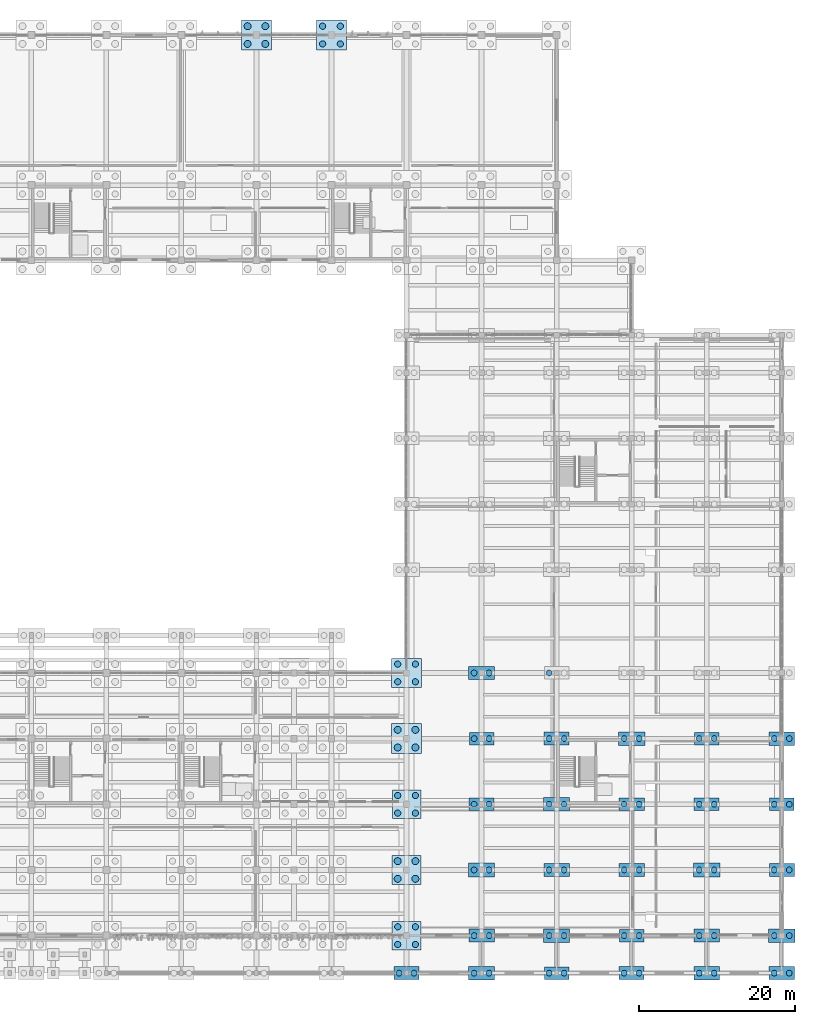
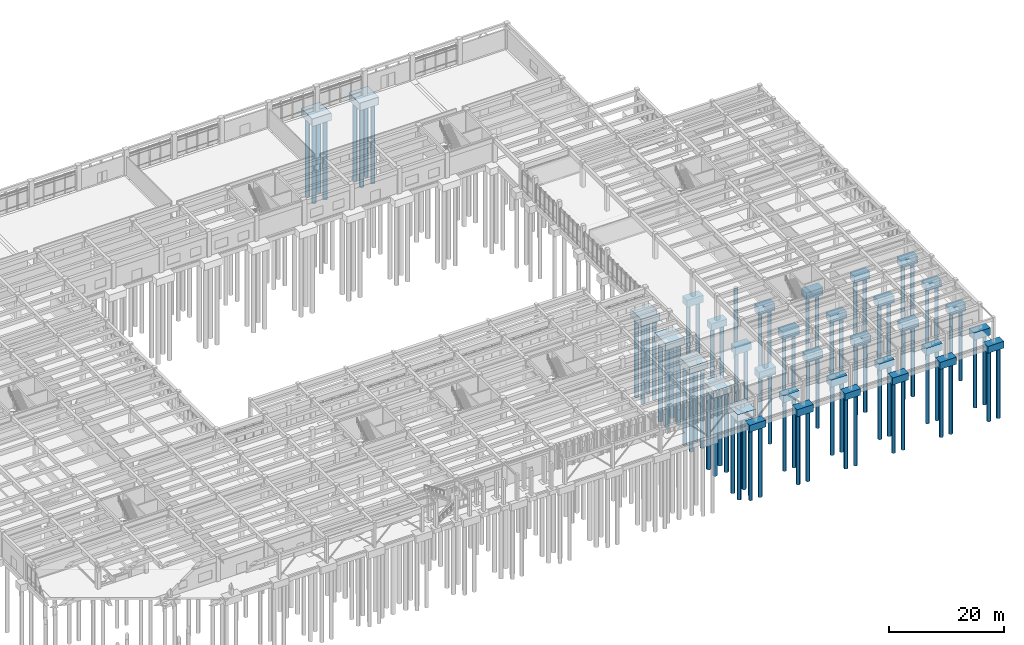
# One storey, part 6 of 102: 83 piles, 34 footings.
"""IFC4 building model written with IfcOpenShell, lengths in metres."""

from ifc_helpers import new_model, si_unit, direction, frame, origin, origin_2d, place, context, subcontext, project, spatial, rectangle, circle, extrude, material, material_profile, profile_set, type_object, element, save


model = new_model("IFC4")

# Units and contexts
model_context = context("Model", 3, precision=1e-05, world=origin(), true_north=direction((0.0, 1.0)))
body_context = subcontext(model_context, "Body", "Model", "MODEL_VIEW")
ifc_project = project(units=[si_unit("LENGTHUNIT", "METRE"), si_unit("AREAUNIT", "SQUARE_METRE"), si_unit("VOLUMEUNIT", "CUBIC_METRE"), si_unit("PLANEANGLEUNIT", "RADIAN"), si_unit("MASSUNIT", "GRAM", prefix="KILO")], contexts=[model_context])

# Site, building, storey
site_placement = place(None, origin())
site = spatial("IfcSite", under=ifc_project, at=site_placement, CompositionType="ELEMENT")
building_placement = place(site_placement, origin())
building = spatial("IfcBuilding", under=site, at=building_placement, Name="Kolvemor Railside Polytechnic", CompositionType="ELEMENT")
storey_placement = place(building_placement, origin())
storey = spatial("IfcBuildingStorey", under=building, at=storey_placement, Name="L00", CompositionType="ELEMENT", Elevation=0.0)

# Footings
ifc_material_1 = material(Name="Concrete C40/50", Category="concrete")
footing_type_1 = type_object("IfcFootingType", Name="FTG-PC-2P-A", PredefinedType="PILE_CAP", material=ifc_material_1)
for number, where, z_axis, x_axis, name in (
    (1, (144.0, 21.60009765625, -1.5), (0.0, 0.0, 1.0), (1.0, 0.0, 0.0), "Pile Cap PC-198"),
    (2, (153.60009765625, 30.0, -1.5), (0.0, 0.0, 1.0), (1.0, 0.0, 0.0), "Pile Cap PC-213"),
    (3, (163.199951171875, 0.0, -1.5), (0.0, 0.0, 1.0), (1.0, 0.0, 0.0), "Pile Cap PC-223"),
    (4, (172.800048828125, 21.60009765625, -1.5), (0.0, 0.0, 1.0), (1.0, 0.0, 0.0), "Pile Cap PC-238"),
    (5, (182.39990234375, 13.199951171875, -1.5), (0.0, 0.0, 1.0), (1.0, 0.0, 0.0), "Pile Cap PC-248"),
):
    element("IfcFooting", number, at=place(storey_placement, frame(where, z_axis=z_axis, x_axis=x_axis)), inside=storey, type_object=footing_type_1, Name=name, PredefinedType="PILE_CAP", context=body_context, shape_type="SweptSolid", body=[
        extrude(rectangle(XDim=3.199951171875, YDim=1.64990234375, at=origin_2d()), origin(), (0.0, 0.0, 1.0), 1.5),
    ])
ifc_material_2 = material(Name="Concrete C40/50", Category="concrete")
footing_type_2 = type_object("IfcFootingType", Name="FTG-PC-2P-B", PredefinedType="PILE_CAP", material=ifc_material_2)
for number, where, z_axis, x_axis, name in (
    (6, (144.0, 30.0, -1.39990234375), (0.0, 0.0, 1.0), (1.0, 0.0, 0.0), "Pile Cap PC-199"),
    (7, (153.60009765625, 0.0, -1.39990234375), (0.0, 0.0, 1.0), (1.0, 0.0, 0.0), "Pile Cap PC-209"),
    (8, (163.199951171875, 4.800048828125, -1.39990234375), (0.0, 0.0, 1.0), (1.0, 0.0, 0.0), "Pile Cap PC-224"),
    (9, (172.800048828125, 30.0, -1.39990234375), (0.0, 0.0, 1.0), (1.0, 0.0, 0.0), "Pile Cap PC-239"),
    (10, (182.39990234375, 21.60009765625, -1.39990234375), (0.0, 0.0, 1.0), (1.0, 0.0, 0.0), "Pile Cap PC-249"),
):
    element("IfcFooting", number, at=place(storey_placement, frame(where, z_axis=z_axis, x_axis=x_axis)), inside=storey, type_object=footing_type_2, Name=name, PredefinedType="PILE_CAP", context=body_context, shape_type="SweptSolid", body=[
        extrude(rectangle(XDim=3.14990234375, YDim=1.60009765625, at=origin_2d()), origin(), (0.0, 0.0, 1.0), 1.39990234375),
    ])
ifc_material_3 = material(Name="Concrete C40/50", Category="concrete")
footing_type_3 = type_object("IfcFootingType", Name="FTG-PC-2P-C", PredefinedType="PILE_CAP", material=ifc_material_3)
for number, where, z_axis, x_axis, name in (
    (11, (144.0, 0.0, -1.5), (0.0, 0.0, 1.0), (1.0, 0.0, 0.0), "Pile Cap PC-195"),
    (12, (144.0, 38.39990234375, -1.5), (0.0, 0.0, 1.0), (1.0, 0.0, 0.0), "Pile Cap PC-200"),
    (13, (153.60009765625, 4.800048828125, -1.5), (0.0, 0.0, 1.0), (1.0, 0.0, 0.0), "Pile Cap PC-210"),
    (14, (163.199951171875, 13.199951171875, -1.5), (0.0, 0.0, 1.0), (1.0, 0.0, 0.0), "Pile Cap PC-225"),
    (15, (172.800048828125, 0.0, -1.5), (0.0, 0.0, 1.0), (1.0, 0.0, 0.0), "Pile Cap PC-235"),
    (16, (182.39990234375, 30.0, -1.5), (0.0, 0.0, 1.0), (1.0, 0.0, 0.0), "Pile Cap PC-250"),
):
    element("IfcFooting", number, at=place(storey_placement, frame(where, z_axis=z_axis, x_axis=x_axis)), inside=storey, type_object=footing_type_3, Name=name, PredefinedType="PILE_CAP", context=body_context, shape_type="SweptSolid", body=[
        extrude(rectangle(XDim=3.300048828125, YDim=1.699951171875, at=origin_2d()), origin(), (0.0, 0.0, 1.0), 1.5),
    ])
ifc_material_4 = material(Name="Concrete C40/50", Category="concrete")
footing_type_4 = type_object("IfcFootingType", Name="FTG-PC-2P-D", PredefinedType="PILE_CAP", material=ifc_material_4)
for number, where, z_axis, x_axis, name in (
    (17, (134.39990234375, 0.0, -1.4501953125), (0.0, 0.0, 1.0), (1.0, 0.0, 0.0), "Pile Cap PC-181"),
    (18, (144.0, 4.800048828125, -1.4501953125), (0.0, 0.0, 1.0), (1.0, 0.0, 0.0), "Pile Cap PC-196"),
    (19, (153.60009765625, 13.199951171875, -1.4501953125), (0.0, 0.0, 1.0), (1.0, 0.0, 0.0), "Pile Cap PC-211"),
    (20, (163.199951171875, 21.60009765625, -1.4501953125), (0.0, 0.0, 1.0), (1.0, 0.0, 0.0), "Pile Cap PC-226"),
    (21, (172.800048828125, 4.800048828125, -1.4501953125), (0.0, 0.0, 1.0), (1.0, 0.0, 0.0), "Pile Cap PC-236"),
    (22, (182.39990234375, 0.0, -1.4501953125), (0.0, 0.0, 1.0), (1.0, 0.0, 0.0), "Pile Cap PC-246"),
):
    element("IfcFooting", number, at=place(storey_placement, frame(where, z_axis=z_axis, x_axis=x_axis)), inside=storey, type_object=footing_type_4, Name=name, PredefinedType="PILE_CAP", context=body_context, shape_type="SweptSolid", body=[
        extrude(rectangle(XDim=3.25, YDim=1.64990234375, at=origin_2d()), origin(), (0.0, 0.0, 1.0), 1.449951171875),
    ])
ifc_material_5 = material(Name="Concrete C40/50", Category="concrete")
footing_type_5 = type_object("IfcFootingType", Name="FTG-PC-2P-E", PredefinedType="PILE_CAP", material=ifc_material_5)
for number, where, z_axis, x_axis, name in (
    (23, (144.0, 13.199951171875, -1.5498046875), (0.0, 0.0, 1.0), (1.0, 0.0, 0.0), "Pile Cap PC-197"),
    (24, (153.60009765625, 21.60009765625, -1.5498046875), (0.0, 0.0, 1.0), (1.0, 0.0, 0.0), "Pile Cap PC-212"),
    (25, (163.199951171875, 30.0, -1.5498046875), (0.0, 0.0, 1.0), (1.0, 0.0, 0.0), "Pile Cap PC-227"),
    (26, (172.800048828125, 13.199951171875, -1.5498046875), (0.0, 0.0, 1.0), (1.0, 0.0, 0.0), "Pile Cap PC-237"),
    (27, (182.39990234375, 4.800048828125, -1.5498046875), (0.0, 0.0, 1.0), (1.0, 0.0, 0.0), "Pile Cap PC-247"),
):
    element("IfcFooting", number, at=place(storey_placement, frame(where, z_axis=z_axis, x_axis=x_axis)), inside=storey, type_object=footing_type_5, Name=name, PredefinedType="PILE_CAP", context=body_context, shape_type="SweptSolid", body=[
        extrude(rectangle(XDim=3.35009765625, YDim=1.75, at=origin_2d()), origin(), (0.0, 0.0, 1.0), 1.550048828125),
    ])
ifc_material_6 = material(Name="Concrete C40/50", Category="concrete")
footing_type_6 = type_object("IfcFootingType", Name="FTG-PC-4P-A", PredefinedType="PILE_CAP", material=ifc_material_6)
footing_1_placement = place(storey_placement, frame((134.39990234375, 13.199951171875, -1.5), z_axis=(0.0, 0.0, 1.0), x_axis=(1.0, 0.0, 0.0)))
element("IfcFooting", 28, at=footing_1_placement, inside=storey, type_object=footing_type_6, Name="Pile Cap PC-183", PredefinedType="PILE_CAP", context=body_context, shape_type="SweptSolid", body=[
    extrude(rectangle(XDim=3.75, YDim=3.75, at=origin_2d()), origin(), (0.0, 0.0, 1.0), 1.5),
])
ifc_material_7 = material(Name="Concrete C40/50", Category="concrete")
footing_type_7 = type_object("IfcFootingType", Name="FTG-PC-4P-B", PredefinedType="PILE_CAP", material=ifc_material_7)
footing_2_placement = place(storey_placement, frame((134.39990234375, 21.60009765625, -1.5), z_axis=(0.0, 0.0, 1.0), x_axis=(1.0, 0.0, 0.0)))
element("IfcFooting", 29, at=footing_2_placement, inside=storey, type_object=footing_type_7, Name="Pile Cap PC-184", PredefinedType="PILE_CAP", context=body_context, shape_type="SweptSolid", body=[
    extrude(rectangle(XDim=3.64990234375, YDim=3.64990234375, at=origin_2d()), origin(), (0.0, 0.0, 1.0), 1.5),
])
ifc_material_8 = material(Name="Concrete C40/50", Category="concrete")
footing_type_8 = type_object("IfcFootingType", Name="FTG-PC-4P-C", PredefinedType="PILE_CAP", material=ifc_material_8)
for number, where, z_axis, x_axis, name in (
    (30, (115.199951171875, 120.0, -1.60009765625), (0.0, 0.0, 1.0), (1.0, 0.0, 0.0), "Pile Cap PC-165"),
    (31, (124.800048828125, 120.0, -1.60009765625), (0.0, 0.0, 1.0), (1.0, 0.0, 0.0), "Pile Cap PC-180"),
    (32, (134.39990234375, 30.0, -1.60009765625), (0.0, 0.0, 1.0), (1.0, 0.0, 0.0), "Pile Cap PC-185"),
):
    element("IfcFooting", number, at=place(storey_placement, frame(where, z_axis=z_axis, x_axis=x_axis)), inside=storey, type_object=footing_type_8, Name=name, PredefinedType="PILE_CAP", context=body_context, shape_type="SweptSolid", body=[
        extrude(rectangle(XDim=3.85009765625, YDim=3.85009765625, at=origin_2d()), origin(), (0.0, 0.0, 1.0), 1.60009765625),
    ])
ifc_material_9 = material(Name="Concrete C40/50", Category="concrete")
footing_type_9 = type_object("IfcFootingType", Name="FTG-PC-4P-D", PredefinedType="PILE_CAP", material=ifc_material_9)
footing_3_placement = place(storey_placement, frame((134.39990234375, 38.39990234375, -1.5498046875), z_axis=(0.0, 0.0, 1.0), x_axis=(1.0, 0.0, 0.0)))
element("IfcFooting", 33, at=footing_3_placement, inside=storey, type_object=footing_type_9, Name="Pile Cap PC-186", PredefinedType="PILE_CAP", context=body_context, shape_type="SweptSolid", body=[
    extrude(rectangle(XDim=3.800048828125, YDim=3.699951171875, at=origin_2d()), origin(), (0.0, 0.0, 1.0), 1.550048828125),
])
ifc_material_10 = material(Name="Concrete C40/50", Category="concrete")
footing_type_10 = type_object("IfcFootingType", Name="FTG-PC-4P-E", PredefinedType="PILE_CAP", material=ifc_material_10)
footing_4_placement = place(storey_placement, frame((134.39990234375, 4.800048828125, -1.4501953125), z_axis=(0.0, 0.0, 1.0), x_axis=(1.0, 0.0, 0.0)))
element("IfcFooting", 34, at=footing_4_placement, inside=storey, type_object=footing_type_10, Name="Pile Cap PC-182", PredefinedType="PILE_CAP", context=body_context, shape_type="SweptSolid", body=[
    extrude(rectangle(XDim=3.699951171875, YDim=3.64990234375, at=origin_2d()), origin(), (0.0, 0.0, 1.0), 1.449951171875),
])

# Piles
ifc_material_11 = material(Name="Concrete C40/50", Category="concrete")
ifc_material_profile_1 = material_profile(ifc_material_11, circle(Radius=0.375, at=origin_2d()), Name="BP750")
ifc_profile_set_1 = profile_set([ifc_material_profile_1], Name="Concrete C40/50")
pile_type_1 = type_object("IfcPileType", Name="PIL-BP750", PredefinedType="BORED", material=ifc_profile_set_1)
for number, where, z_axis, x_axis, name in (
    (35, (133.43994140625, 0.0, -1.330078125), (0.0, 0.0, -1.0), (1.0, 0.0, 0.0), "Bored Pile BP750-181-1"),
    (36, (135.360107421875, 0.0, -1.330078125), (0.0, 0.0, -1.0), (1.0, 0.0, 0.0), "Bored Pile BP750-181-2"),
):
    element("IfcPile", number, at=place(storey_placement, frame(where, z_axis=z_axis, x_axis=x_axis)), inside=storey, type_object=pile_type_1, Name=name, PredefinedType="BORED", context=body_context, shape_type="SweptSolid", body=[
        extrude(circle(Radius=0.375, at=origin_2d()), origin(), (0.0, 0.0, 1.0), 15.169921875),
    ])
for number, where, z_axis, x_axis, name in (
    (37, (143.0400390625, 0.0, -1.3798828125), (0.0, 0.0, -1.0), (1.0, 0.0, 0.0), "Bored Pile BP750-195-1"),
    (38, (144.9599609375, 0.0, -1.3798828125), (0.0, 0.0, -1.0), (1.0, 0.0, 0.0), "Bored Pile BP750-195-2"),
):
    element("IfcPile", number, at=place(storey_placement, frame(where, z_axis=z_axis, x_axis=x_axis)), inside=storey, type_object=pile_type_1, Name=name, PredefinedType="BORED", context=body_context, shape_type="SweptSolid", body=[
        extrude(circle(Radius=0.375, at=origin_2d()), origin(), (0.0, 0.0, 1.0), 15.1201171875),
    ])
for number, where, z_axis, x_axis, name in (
    (39, (143.0400390625, 4.800048828125, -1.330078125), (0.0, 0.0, -1.0), (1.0, 0.0, 0.0), "Bored Pile BP750-196-1"),
    (40, (144.9599609375, 4.800048828125, -1.330078125), (0.0, 0.0, -1.0), (1.0, 0.0, 0.0), "Bored Pile BP750-196-2"),
):
    element("IfcPile", number, at=place(storey_placement, frame(where, z_axis=z_axis, x_axis=x_axis)), inside=storey, type_object=pile_type_1, Name=name, PredefinedType="BORED", context=body_context, shape_type="SweptSolid", body=[
        extrude(circle(Radius=0.375, at=origin_2d()), origin(), (0.0, 0.0, 1.0), 15.169921875),
    ])
for number, where, z_axis, x_axis, name in (
    (41, (143.0400390625, 13.199951171875, -1.429931640625), (0.0, 0.0, -1.0), (1.0, 0.0, 0.0), "Bored Pile BP750-197-1"),
    (42, (144.9599609375, 13.199951171875, -1.429931640625), (0.0, 0.0, -1.0), (1.0, 0.0, 0.0), "Bored Pile BP750-197-2"),
):
    element("IfcPile", number, at=place(storey_placement, frame(where, z_axis=z_axis, x_axis=x_axis)), inside=storey, type_object=pile_type_1, Name=name, PredefinedType="BORED", context=body_context, shape_type="SweptSolid", body=[
        extrude(circle(Radius=0.375, at=origin_2d()), origin(), (0.0, 0.0, 1.0), 15.070068359375),
    ])
for number, where, z_axis, x_axis, name in (
    (43, (143.0400390625, 21.60009765625, -1.3798828125), (0.0, 0.0, -1.0), (1.0, 0.0, 0.0), "Bored Pile BP750-198-1"),
    (44, (144.9599609375, 21.60009765625, -1.3798828125), (0.0, 0.0, -1.0), (1.0, 0.0, 0.0), "Bored Pile BP750-198-2"),
):
    element("IfcPile", number, at=place(storey_placement, frame(where, z_axis=z_axis, x_axis=x_axis)), inside=storey, type_object=pile_type_1, Name=name, PredefinedType="BORED", context=body_context, shape_type="SweptSolid", body=[
        extrude(circle(Radius=0.375, at=origin_2d()), origin(), (0.0, 0.0, 1.0), 15.1201171875),
    ])
for number, where, z_axis, x_axis, name in (
    (45, (143.0400390625, 30.0, -1.280029296875), (0.0, 0.0, -1.0), (1.0, 0.0, 0.0), "Bored Pile BP750-199-1"),
    (46, (144.9599609375, 30.0, -1.280029296875), (0.0, 0.0, -1.0), (1.0, 0.0, 0.0), "Bored Pile BP750-199-2"),
):
    element("IfcPile", number, at=place(storey_placement, frame(where, z_axis=z_axis, x_axis=x_axis)), inside=storey, type_object=pile_type_1, Name=name, PredefinedType="BORED", context=body_context, shape_type="SweptSolid", body=[
        extrude(circle(Radius=0.375, at=origin_2d()), origin(), (0.0, 0.0, 1.0), 15.219970703125),
    ])
for number, where, z_axis, x_axis, name in (
    (47, (143.0400390625, 38.39990234375, -1.3798828125), (0.0, 0.0, -1.0), (1.0, 0.0, 0.0), "Bored Pile BP750-200-1"),
    (48, (144.9599609375, 38.39990234375, -1.3798828125), (0.0, 0.0, -1.0), (1.0, 0.0, 0.0), "Bored Pile BP750-200-2"),
):
    element("IfcPile", number, at=place(storey_placement, frame(where, z_axis=z_axis, x_axis=x_axis)), inside=storey, type_object=pile_type_1, Name=name, PredefinedType="BORED", context=body_context, shape_type="SweptSolid", body=[
        extrude(circle(Radius=0.375, at=origin_2d()), origin(), (0.0, 0.0, 1.0), 15.1201171875),
    ])
for number, where, z_axis, x_axis, name in (
    (49, (152.639892578125, 0.0, -1.280029296875), (0.0, 0.0, -1.0), (1.0, 0.0, 0.0), "Bored Pile BP750-209-1"),
    (50, (154.56005859375, 0.0, -1.280029296875), (0.0, 0.0, -1.0), (1.0, 0.0, 0.0), "Bored Pile BP750-209-2"),
):
    element("IfcPile", number, at=place(storey_placement, frame(where, z_axis=z_axis, x_axis=x_axis)), inside=storey, type_object=pile_type_1, Name=name, PredefinedType="BORED", context=body_context, shape_type="SweptSolid", body=[
        extrude(circle(Radius=0.375, at=origin_2d()), origin(), (0.0, 0.0, 1.0), 15.219970703125),
    ])
for number, where, z_axis, x_axis, name in (
    (51, (152.639892578125, 4.800048828125, -1.3798828125), (0.0, 0.0, -1.0), (1.0, 0.0, 0.0), "Bored Pile BP750-210-1"),
    (52, (154.56005859375, 4.800048828125, -1.3798828125), (0.0, 0.0, -1.0), (1.0, 0.0, 0.0), "Bored Pile BP750-210-2"),
):
    element("IfcPile", number, at=place(storey_placement, frame(where, z_axis=z_axis, x_axis=x_axis)), inside=storey, type_object=pile_type_1, Name=name, PredefinedType="BORED", context=body_context, shape_type="SweptSolid", body=[
        extrude(circle(Radius=0.375, at=origin_2d()), origin(), (0.0, 0.0, 1.0), 15.1201171875),
    ])
for number, where, z_axis, x_axis, name in (
    (53, (152.639892578125, 13.199951171875, -1.330078125), (0.0, 0.0, -1.0), (1.0, 0.0, 0.0), "Bored Pile BP750-211-1"),
    (54, (154.56005859375, 13.199951171875, -1.330078125), (0.0, 0.0, -1.0), (1.0, 0.0, 0.0), "Bored Pile BP750-211-2"),
):
    element("IfcPile", number, at=place(storey_placement, frame(where, z_axis=z_axis, x_axis=x_axis)), inside=storey, type_object=pile_type_1, Name=name, PredefinedType="BORED", context=body_context, shape_type="SweptSolid", body=[
        extrude(circle(Radius=0.375, at=origin_2d()), origin(), (0.0, 0.0, 1.0), 15.169921875),
    ])
for number, where, z_axis, x_axis, name in (
    (55, (152.639892578125, 21.60009765625, -1.429931640625), (0.0, 0.0, -1.0), (1.0, 0.0, 0.0), "Bored Pile BP750-212-1"),
    (56, (154.56005859375, 21.60009765625, -1.429931640625), (0.0, 0.0, -1.0), (1.0, 0.0, 0.0), "Bored Pile BP750-212-2"),
):
    element("IfcPile", number, at=place(storey_placement, frame(where, z_axis=z_axis, x_axis=x_axis)), inside=storey, type_object=pile_type_1, Name=name, PredefinedType="BORED", context=body_context, shape_type="SweptSolid", body=[
        extrude(circle(Radius=0.375, at=origin_2d()), origin(), (0.0, 0.0, 1.0), 15.070068359375),
    ])
for number, where, z_axis, x_axis, name in (
    (57, (152.639892578125, 30.0, -1.3798828125), (0.0, 0.0, -1.0), (1.0, 0.0, 0.0), "Bored Pile BP750-213-1"),
    (58, (154.56005859375, 30.0, -1.3798828125), (0.0, 0.0, -1.0), (1.0, 0.0, 0.0), "Bored Pile BP750-213-2"),
):
    element("IfcPile", number, at=place(storey_placement, frame(where, z_axis=z_axis, x_axis=x_axis)), inside=storey, type_object=pile_type_1, Name=name, PredefinedType="BORED", context=body_context, shape_type="SweptSolid", body=[
        extrude(circle(Radius=0.375, at=origin_2d()), origin(), (0.0, 0.0, 1.0), 15.1201171875),
    ])
pile_placement = place(storey_placement, frame((152.639892578125, 38.39990234375, -1.280029296875), z_axis=(0.0, 0.0, -1.0), x_axis=(1.0, 0.0, 0.0)))
element("IfcPile", 59, at=pile_placement, inside=storey, type_object=pile_type_1, Name="Bored Pile BP750-214-1", PredefinedType="BORED", context=body_context, shape_type="SweptSolid", body=[
    extrude(circle(Radius=0.375, at=origin_2d()), origin(), (0.0, 0.0, 1.0), 15.219970703125),
])
for number, where, z_axis, x_axis, name in (
    (60, (162.239990234375, 0.0, -1.3798828125), (0.0, 0.0, -1.0), (1.0, 0.0, 0.0), "Bored Pile BP750-223-1"),
    (61, (164.159912109375, 0.0, -1.3798828125), (0.0, 0.0, -1.0), (1.0, 0.0, 0.0), "Bored Pile BP750-223-2"),
):
    element("IfcPile", number, at=place(storey_placement, frame(where, z_axis=z_axis, x_axis=x_axis)), inside=storey, type_object=pile_type_1, Name=name, PredefinedType="BORED", context=body_context, shape_type="SweptSolid", body=[
        extrude(circle(Radius=0.375, at=origin_2d()), origin(), (0.0, 0.0, 1.0), 15.1201171875),
    ])
for number, where, z_axis, x_axis, name in (
    (62, (162.239990234375, 4.800048828125, -1.280029296875), (0.0, 0.0, -1.0), (1.0, 0.0, 0.0), "Bored Pile BP750-224-1"),
    (63, (164.159912109375, 4.800048828125, -1.280029296875), (0.0, 0.0, -1.0), (1.0, 0.0, 0.0), "Bored Pile BP750-224-2"),
):
    element("IfcPile", number, at=place(storey_placement, frame(where, z_axis=z_axis, x_axis=x_axis)), inside=storey, type_object=pile_type_1, Name=name, PredefinedType="BORED", context=body_context, shape_type="SweptSolid", body=[
        extrude(circle(Radius=0.375, at=origin_2d()), origin(), (0.0, 0.0, 1.0), 15.219970703125),
    ])
for number, where, z_axis, x_axis, name in (
    (64, (162.239990234375, 13.199951171875, -1.3798828125), (0.0, 0.0, -1.0), (1.0, 0.0, 0.0), "Bored Pile BP750-225-1"),
    (65, (164.159912109375, 13.199951171875, -1.3798828125), (0.0, 0.0, -1.0), (1.0, 0.0, 0.0), "Bored Pile BP750-225-2"),
):
    element("IfcPile", number, at=place(storey_placement, frame(where, z_axis=z_axis, x_axis=x_axis)), inside=storey, type_object=pile_type_1, Name=name, PredefinedType="BORED", context=body_context, shape_type="SweptSolid", body=[
        extrude(circle(Radius=0.375, at=origin_2d()), origin(), (0.0, 0.0, 1.0), 15.1201171875),
    ])
for number, where, z_axis, x_axis, name in (
    (66, (162.239990234375, 21.60009765625, -1.330078125), (0.0, 0.0, -1.0), (1.0, 0.0, 0.0), "Bored Pile BP750-226-1"),
    (67, (164.159912109375, 21.60009765625, -1.330078125), (0.0, 0.0, -1.0), (1.0, 0.0, 0.0), "Bored Pile BP750-226-2"),
):
    element("IfcPile", number, at=place(storey_placement, frame(where, z_axis=z_axis, x_axis=x_axis)), inside=storey, type_object=pile_type_1, Name=name, PredefinedType="BORED", context=body_context, shape_type="SweptSolid", body=[
        extrude(circle(Radius=0.375, at=origin_2d()), origin(), (0.0, 0.0, 1.0), 15.169921875),
    ])
for number, where, z_axis, x_axis, name in (
    (68, (162.239990234375, 30.0, -1.429931640625), (0.0, 0.0, -1.0), (1.0, 0.0, 0.0), "Bored Pile BP750-227-1"),
    (69, (164.159912109375, 30.0, -1.429931640625), (0.0, 0.0, -1.0), (1.0, 0.0, 0.0), "Bored Pile BP750-227-2"),
):
    element("IfcPile", number, at=place(storey_placement, frame(where, z_axis=z_axis, x_axis=x_axis)), inside=storey, type_object=pile_type_1, Name=name, PredefinedType="BORED", context=body_context, shape_type="SweptSolid", body=[
        extrude(circle(Radius=0.375, at=origin_2d()), origin(), (0.0, 0.0, 1.0), 15.070068359375),
    ])
for number, where, z_axis, x_axis, name in (
    (70, (171.840087890625, 0.0, -1.3798828125), (0.0, 0.0, -1.0), (1.0, 0.0, 0.0), "Bored Pile BP750-235-1"),
    (71, (173.760009765625, 0.0, -1.3798828125), (0.0, 0.0, -1.0), (1.0, 0.0, 0.0), "Bored Pile BP750-235-2"),
):
    element("IfcPile", number, at=place(storey_placement, frame(where, z_axis=z_axis, x_axis=x_axis)), inside=storey, type_object=pile_type_1, Name=name, PredefinedType="BORED", context=body_context, shape_type="SweptSolid", body=[
        extrude(circle(Radius=0.375, at=origin_2d()), origin(), (0.0, 0.0, 1.0), 15.1201171875),
    ])
for number, where, z_axis, x_axis, name in (
    (72, (171.840087890625, 4.800048828125, -1.330078125), (0.0, 0.0, -1.0), (1.0, 0.0, 0.0), "Bored Pile BP750-236-1"),
    (73, (173.760009765625, 4.800048828125, -1.330078125), (0.0, 0.0, -1.0), (1.0, 0.0, 0.0), "Bored Pile BP750-236-2"),
):
    element("IfcPile", number, at=place(storey_placement, frame(where, z_axis=z_axis, x_axis=x_axis)), inside=storey, type_object=pile_type_1, Name=name, PredefinedType="BORED", context=body_context, shape_type="SweptSolid", body=[
        extrude(circle(Radius=0.375, at=origin_2d()), origin(), (0.0, 0.0, 1.0), 15.169921875),
    ])
for number, where, z_axis, x_axis, name in (
    (74, (171.840087890625, 13.199951171875, -1.429931640625), (0.0, 0.0, -1.0), (1.0, 0.0, 0.0), "Bored Pile BP750-237-1"),
    (75, (173.760009765625, 13.199951171875, -1.429931640625), (0.0, 0.0, -1.0), (1.0, 0.0, 0.0), "Bored Pile BP750-237-2"),
):
    element("IfcPile", number, at=place(storey_placement, frame(where, z_axis=z_axis, x_axis=x_axis)), inside=storey, type_object=pile_type_1, Name=name, PredefinedType="BORED", context=body_context, shape_type="SweptSolid", body=[
        extrude(circle(Radius=0.375, at=origin_2d()), origin(), (0.0, 0.0, 1.0), 15.070068359375),
    ])
for number, where, z_axis, x_axis, name in (
    (76, (171.840087890625, 21.60009765625, -1.3798828125), (0.0, 0.0, -1.0), (1.0, 0.0, 0.0), "Bored Pile BP750-238-1"),
    (77, (173.760009765625, 21.60009765625, -1.3798828125), (0.0, 0.0, -1.0), (1.0, 0.0, 0.0), "Bored Pile BP750-238-2"),
):
    element("IfcPile", number, at=place(storey_placement, frame(where, z_axis=z_axis, x_axis=x_axis)), inside=storey, type_object=pile_type_1, Name=name, PredefinedType="BORED", context=body_context, shape_type="SweptSolid", body=[
        extrude(circle(Radius=0.375, at=origin_2d()), origin(), (0.0, 0.0, 1.0), 15.1201171875),
    ])
for number, where, z_axis, x_axis, name in (
    (78, (171.840087890625, 30.0, -1.280029296875), (0.0, 0.0, -1.0), (1.0, 0.0, 0.0), "Bored Pile BP750-239-1"),
    (79, (173.760009765625, 30.0, -1.280029296875), (0.0, 0.0, -1.0), (1.0, 0.0, 0.0), "Bored Pile BP750-239-2"),
):
    element("IfcPile", number, at=place(storey_placement, frame(where, z_axis=z_axis, x_axis=x_axis)), inside=storey, type_object=pile_type_1, Name=name, PredefinedType="BORED", context=body_context, shape_type="SweptSolid", body=[
        extrude(circle(Radius=0.375, at=origin_2d()), origin(), (0.0, 0.0, 1.0), 15.219970703125),
    ])
for number, where, z_axis, x_axis, name in (
    (80, (181.43994140625, 0.0, -1.330078125), (0.0, 0.0, -1.0), (1.0, 0.0, 0.0), "Bored Pile BP750-246-1"),
    (81, (183.360107421875, 0.0, -1.330078125), (0.0, 0.0, -1.0), (1.0, 0.0, 0.0), "Bored Pile BP750-246-2"),
):
    element("IfcPile", number, at=place(storey_placement, frame(where, z_axis=z_axis, x_axis=x_axis)), inside=storey, type_object=pile_type_1, Name=name, PredefinedType="BORED", context=body_context, shape_type="SweptSolid", body=[
        extrude(circle(Radius=0.375, at=origin_2d()), origin(), (0.0, 0.0, 1.0), 15.169921875),
    ])
for number, where, z_axis, x_axis, name in (
    (82, (181.43994140625, 4.800048828125, -1.429931640625), (0.0, 0.0, -1.0), (1.0, 0.0, 0.0), "Bored Pile BP750-247-1"),
    (83, (183.360107421875, 4.800048828125, -1.429931640625), (0.0, 0.0, -1.0), (1.0, 0.0, 0.0), "Bored Pile BP750-247-2"),
):
    element("IfcPile", number, at=place(storey_placement, frame(where, z_axis=z_axis, x_axis=x_axis)), inside=storey, type_object=pile_type_1, Name=name, PredefinedType="BORED", context=body_context, shape_type="SweptSolid", body=[
        extrude(circle(Radius=0.375, at=origin_2d()), origin(), (0.0, 0.0, 1.0), 15.070068359375),
    ])
for number, where, z_axis, x_axis, name in (
    (84, (181.43994140625, 13.199951171875, -1.3798828125), (0.0, 0.0, -1.0), (1.0, 0.0, 0.0), "Bored Pile BP750-248-1"),
    (85, (183.360107421875, 13.199951171875, -1.3798828125), (0.0, 0.0, -1.0), (1.0, 0.0, 0.0), "Bored Pile BP750-248-2"),
):
    element("IfcPile", number, at=place(storey_placement, frame(where, z_axis=z_axis, x_axis=x_axis)), inside=storey, type_object=pile_type_1, Name=name, PredefinedType="BORED", context=body_context, shape_type="SweptSolid", body=[
        extrude(circle(Radius=0.375, at=origin_2d()), origin(), (0.0, 0.0, 1.0), 15.1201171875),
    ])
for number, where, z_axis, x_axis, name in (
    (86, (181.43994140625, 21.60009765625, -1.280029296875), (0.0, 0.0, -1.0), (1.0, 0.0, 0.0), "Bored Pile BP750-249-1"),
    (87, (183.360107421875, 21.60009765625, -1.280029296875), (0.0, 0.0, -1.0), (1.0, 0.0, 0.0), "Bored Pile BP750-249-2"),
):
    element("IfcPile", number, at=place(storey_placement, frame(where, z_axis=z_axis, x_axis=x_axis)), inside=storey, type_object=pile_type_1, Name=name, PredefinedType="BORED", context=body_context, shape_type="SweptSolid", body=[
        extrude(circle(Radius=0.375, at=origin_2d()), origin(), (0.0, 0.0, 1.0), 15.219970703125),
    ])
for number, where, z_axis, x_axis, name in (
    (88, (181.43994140625, 30.0, -1.3798828125), (0.0, 0.0, -1.0), (1.0, 0.0, 0.0), "Bored Pile BP750-250-1"),
    (89, (183.360107421875, 30.0, -1.3798828125), (0.0, 0.0, -1.0), (1.0, 0.0, 0.0), "Bored Pile BP750-250-2"),
):
    element("IfcPile", number, at=place(storey_placement, frame(where, z_axis=z_axis, x_axis=x_axis)), inside=storey, type_object=pile_type_1, Name=name, PredefinedType="BORED", context=body_context, shape_type="SweptSolid", body=[
        extrude(circle(Radius=0.375, at=origin_2d()), origin(), (0.0, 0.0, 1.0), 15.1201171875),
    ])
ifc_material_12 = material(Name="Concrete C40/50", Category="concrete")
ifc_material_profile_2 = material_profile(ifc_material_12, circle(Radius=0.39990234375, at=origin_2d()), Name="BP800")
ifc_profile_set_2 = profile_set([ifc_material_profile_2], Name="Concrete C40/50")
pile_type_2 = type_object("IfcPileType", Name="PIL-BP800", PredefinedType="BORED", material=ifc_profile_set_2)
for number, where, z_axis, x_axis, name in (
    (90, (123.669921875, 118.8701171875, -1.47998046875), (0.0, 0.0, -1.0), (1.0, 0.0, 0.0), "Bored Pile PIL-BP800-180-1"),
    (91, (123.669921875, 121.1298828125, -1.47998046875), (0.0, 0.0, -1.0), (1.0, 0.0, 0.0), "Bored Pile PIL-BP800-180-2"),
    (92, (125.929931640625, 118.8701171875, -1.47998046875), (0.0, 0.0, -1.0), (1.0, 0.0, 0.0), "Bored Pile PIL-BP800-180-3"),
    (93, (125.929931640625, 121.1298828125, -1.47998046875), (0.0, 0.0, -1.0), (1.0, 0.0, 0.0), "Bored Pile PIL-BP800-180-4"),
):
    element("IfcPile", number, at=place(storey_placement, frame(where, z_axis=z_axis, x_axis=x_axis)), inside=storey, type_object=pile_type_2, Name=name, PredefinedType="BORED", context=body_context, shape_type="SweptSolid", body=[
        extrude(circle(Radius=0.39990234375, at=origin_2d()), origin(), (0.0, 0.0, 1.0), 17.02001953125),
    ])
for number, where, z_axis, x_axis, name in (
    (94, (133.27001953125, 3.669921875, -1.330078125), (0.0, 0.0, -1.0), (1.0, 0.0, 0.0), "Bored Pile PIL-BP800-182-1"),
    (95, (133.27001953125, 5.929931640625, -1.330078125), (0.0, 0.0, -1.0), (1.0, 0.0, 0.0), "Bored Pile PIL-BP800-182-2"),
    (96, (135.530029296875, 3.669921875, -1.330078125), (0.0, 0.0, -1.0), (1.0, 0.0, 0.0), "Bored Pile PIL-BP800-182-3"),
    (97, (135.530029296875, 5.929931640625, -1.330078125), (0.0, 0.0, -1.0), (1.0, 0.0, 0.0), "Bored Pile PIL-BP800-182-4"),
):
    element("IfcPile", number, at=place(storey_placement, frame(where, z_axis=z_axis, x_axis=x_axis)), inside=storey, type_object=pile_type_2, Name=name, PredefinedType="BORED", context=body_context, shape_type="SweptSolid", body=[
        extrude(circle(Radius=0.39990234375, at=origin_2d()), origin(), (0.0, 0.0, 1.0), 17.169921875),
    ])
for number, where, z_axis, x_axis, name in (
    (98, (133.27001953125, 20.469970703125, -1.3798828125), (0.0, 0.0, -1.0), (1.0, 0.0, 0.0), "Bored Pile PIL-BP800-184-1"),
    (99, (133.27001953125, 22.72998046875, -1.3798828125), (0.0, 0.0, -1.0), (1.0, 0.0, 0.0), "Bored Pile PIL-BP800-184-2"),
    (100, (135.530029296875, 20.469970703125, -1.3798828125), (0.0, 0.0, -1.0), (1.0, 0.0, 0.0), "Bored Pile PIL-BP800-184-3"),
    (101, (135.530029296875, 22.72998046875, -1.3798828125), (0.0, 0.0, -1.0), (1.0, 0.0, 0.0), "Bored Pile PIL-BP800-184-4"),
):
    element("IfcPile", number, at=place(storey_placement, frame(where, z_axis=z_axis, x_axis=x_axis)), inside=storey, type_object=pile_type_2, Name=name, PredefinedType="BORED", context=body_context, shape_type="SweptSolid", body=[
        extrude(circle(Radius=0.39990234375, at=origin_2d()), origin(), (0.0, 0.0, 1.0), 17.1201171875),
    ])
for number, where, z_axis, x_axis, name in (
    (102, (133.27001953125, 37.27001953125, -1.429931640625), (0.0, 0.0, -1.0), (1.0, 0.0, 0.0), "Bored Pile PIL-BP800-186-1"),
    (103, (133.27001953125, 39.530029296875, -1.429931640625), (0.0, 0.0, -1.0), (1.0, 0.0, 0.0), "Bored Pile PIL-BP800-186-2"),
    (104, (135.530029296875, 37.27001953125, -1.429931640625), (0.0, 0.0, -1.0), (1.0, 0.0, 0.0), "Bored Pile PIL-BP800-186-3"),
    (105, (135.530029296875, 39.530029296875, -1.429931640625), (0.0, 0.0, -1.0), (1.0, 0.0, 0.0), "Bored Pile PIL-BP800-186-4"),
):
    element("IfcPile", number, at=place(storey_placement, frame(where, z_axis=z_axis, x_axis=x_axis)), inside=storey, type_object=pile_type_2, Name=name, PredefinedType="BORED", context=body_context, shape_type="SweptSolid", body=[
        extrude(circle(Radius=0.39990234375, at=origin_2d()), origin(), (0.0, 0.0, 1.0), 17.070068359375),
    ])
ifc_material_13 = material(Name="Concrete C40/50", Category="concrete")
ifc_material_profile_3 = material_profile(ifc_material_13, circle(Radius=0.449951171875, at=origin_2d()), Name="BP900")
ifc_profile_set_3 = profile_set([ifc_material_profile_3], Name="Concrete C40/50")
pile_type_3 = type_object("IfcPileType", Name="PIL-BP900", PredefinedType="BORED", material=ifc_profile_set_3)
for number, where, z_axis, x_axis, name in (
    (106, (114.070068359375, 118.8701171875, -1.47998046875), (0.0, 0.0, -1.0), (1.0, 0.0, 0.0), "Bored Pile PIL-BP900-165-1"),
    (107, (114.070068359375, 121.1298828125, -1.47998046875), (0.0, 0.0, -1.0), (1.0, 0.0, 0.0), "Bored Pile PIL-BP900-165-2"),
    (108, (116.330078125, 118.8701171875, -1.47998046875), (0.0, 0.0, -1.0), (1.0, 0.0, 0.0), "Bored Pile PIL-BP900-165-3"),
    (109, (116.330078125, 121.1298828125, -1.47998046875), (0.0, 0.0, -1.0), (1.0, 0.0, 0.0), "Bored Pile PIL-BP900-165-4"),
):
    element("IfcPile", number, at=place(storey_placement, frame(where, z_axis=z_axis, x_axis=x_axis)), inside=storey, type_object=pile_type_3, Name=name, PredefinedType="BORED", context=body_context, shape_type="SweptSolid", body=[
        extrude(circle(Radius=0.449951171875, at=origin_2d()), origin(), (0.0, 0.0, 1.0), 17.02001953125),
    ])
for number, where, z_axis, x_axis, name in (
    (110, (133.27001953125, 12.070068359375, -1.3798828125), (0.0, 0.0, -1.0), (1.0, 0.0, 0.0), "Bored Pile PIL-BP900-183-1"),
    (111, (133.27001953125, 14.330078125, -1.3798828125), (0.0, 0.0, -1.0), (1.0, 0.0, 0.0), "Bored Pile PIL-BP900-183-2"),
    (112, (135.530029296875, 12.070068359375, -1.3798828125), (0.0, 0.0, -1.0), (1.0, 0.0, 0.0), "Bored Pile PIL-BP900-183-3"),
    (113, (135.530029296875, 14.330078125, -1.3798828125), (0.0, 0.0, -1.0), (1.0, 0.0, 0.0), "Bored Pile PIL-BP900-183-4"),
):
    element("IfcPile", number, at=place(storey_placement, frame(where, z_axis=z_axis, x_axis=x_axis)), inside=storey, type_object=pile_type_3, Name=name, PredefinedType="BORED", context=body_context, shape_type="SweptSolid", body=[
        extrude(circle(Radius=0.449951171875, at=origin_2d()), origin(), (0.0, 0.0, 1.0), 17.1201171875),
    ])
for number, where, z_axis, x_axis, name in (
    (114, (133.27001953125, 28.8701171875, -1.47998046875), (0.0, 0.0, -1.0), (1.0, 0.0, 0.0), "Bored Pile PIL-BP900-185-1"),
    (115, (133.27001953125, 31.1298828125, -1.47998046875), (0.0, 0.0, -1.0), (1.0, 0.0, 0.0), "Bored Pile PIL-BP900-185-2"),
    (116, (135.530029296875, 28.8701171875, -1.47998046875), (0.0, 0.0, -1.0), (1.0, 0.0, 0.0), "Bored Pile PIL-BP900-185-3"),
    (117, (135.530029296875, 31.1298828125, -1.47998046875), (0.0, 0.0, -1.0), (1.0, 0.0, 0.0), "Bored Pile PIL-BP900-185-4"),
):
    element("IfcPile", number, at=place(storey_placement, frame(where, z_axis=z_axis, x_axis=x_axis)), inside=storey, type_object=pile_type_3, Name=name, PredefinedType="BORED", context=body_context, shape_type="SweptSolid", body=[
        extrude(circle(Radius=0.449951171875, at=origin_2d()), origin(), (0.0, 0.0, 1.0), 17.02001953125),
    ])

save(model, "model.ifc")
